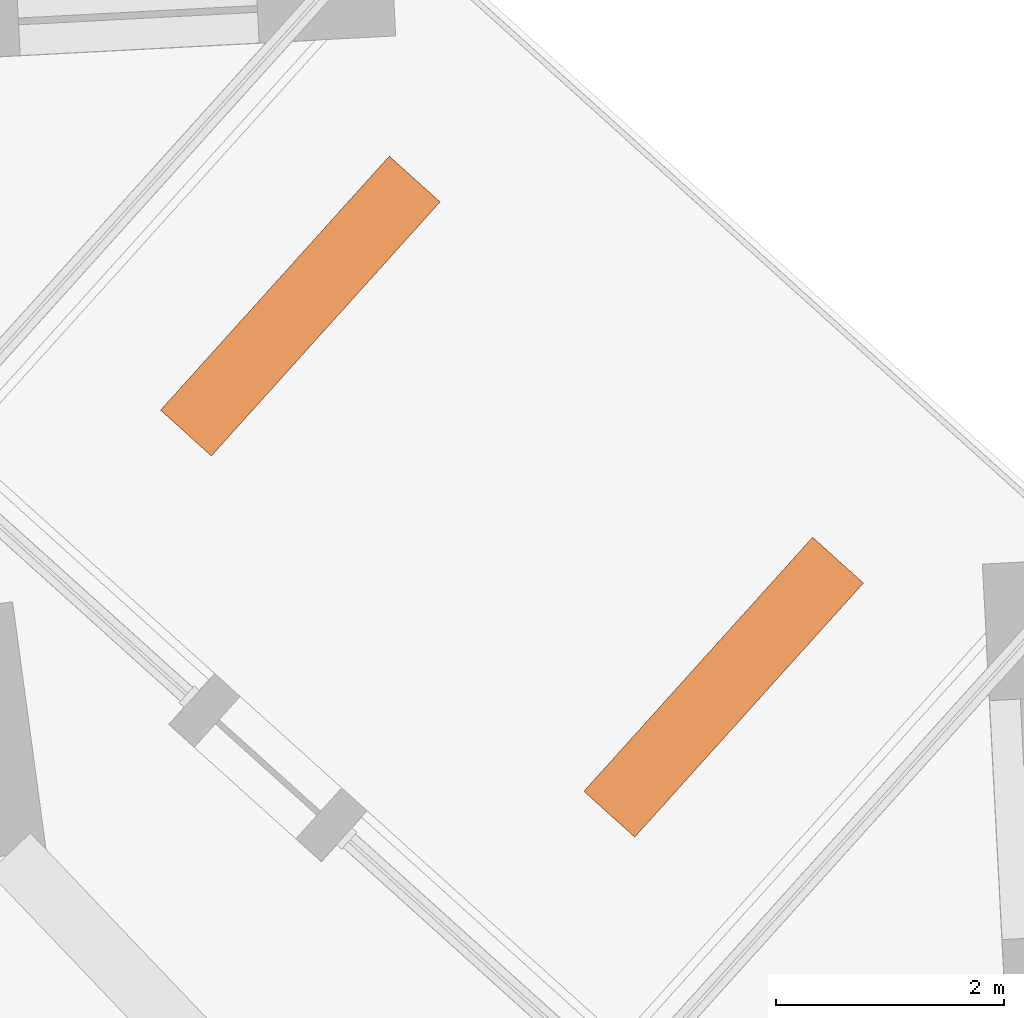
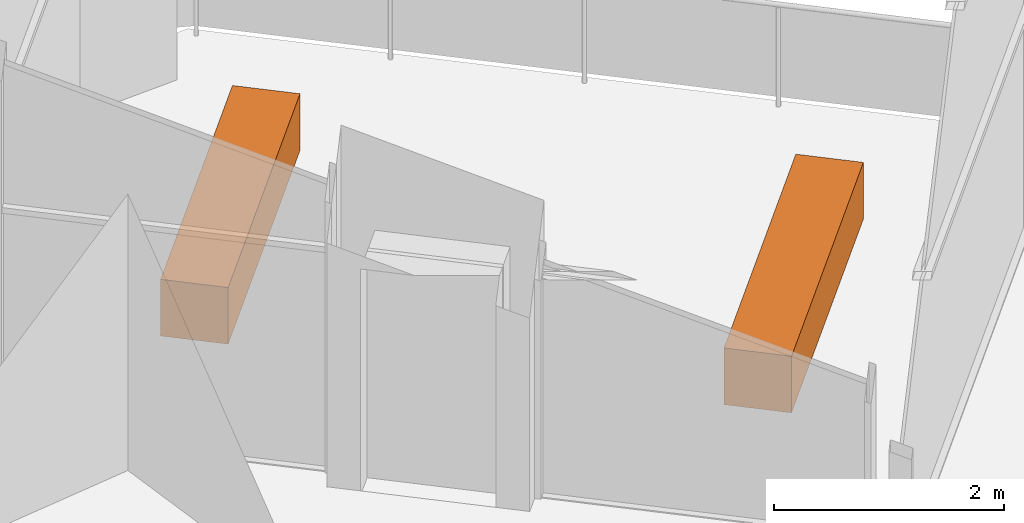
# One storey, part 10 of 10: 2 proxies.
"""IFC4 building model written with IfcOpenShell, lengths in metres."""

from ifc_helpers import new_model, si_unit, direction, frame, origin, origin_2d, place, context, subcontext, project, spatial, rectangle, extrude, element, save


model = new_model("IFC4")

# Units and contexts
model_context = context("Model", 3, precision=1e-05, world=origin(), true_north=direction((0.0, 1.0)))
body_context = subcontext(model_context, "Body", "Model", "MODEL_VIEW")
ifc_project = project(units=[si_unit("LENGTHUNIT", "METRE"), si_unit("AREAUNIT", "SQUARE_METRE"), si_unit("VOLUMEUNIT", "CUBIC_METRE"), si_unit("PLANEANGLEUNIT", "RADIAN"), si_unit("MASSUNIT", "GRAM", prefix="KILO")], contexts=[model_context])

# Site, building, storey
site_placement = place(None, origin())
site = spatial("IfcSite", under=ifc_project, at=site_placement, CompositionType="ELEMENT")
building_placement = place(site_placement, origin())
building = spatial("IfcBuilding", under=site, at=building_placement, Name="Dilmun Exchange Tower", CompositionType="ELEMENT")
storey_placement = place(building_placement, frame((0.0, 0.0, 32.10009765625)))
storey = spatial("IfcBuildingStorey", under=building, at=storey_placement, Name="L07", CompositionType="ELEMENT", Elevation=32.10009765625)

# Proxies
for number, where, z_axis, x_axis, name in (
    (1, (25.806640625, 24.925048828125, -0.000244140625), (0.0, 0.0, 1.0), (0.669130606359, 0.743144825477, 0.0), "PLANTER Desert shrub L07.1"),
    (2, (22.0908203125, 28.2705078125, -0.000244140625), (0.0, 0.0, 1.0), (0.669130606359, 0.743144825477, 0.0), "PLANTER Desert shrub L07.2"),
):
    element("IfcBuildingElementProxy", number, at=place(storey_placement, frame(where, z_axis=z_axis, x_axis=x_axis)), inside=storey, Name=name, ObjectType="PLANTER", PredefinedType="USERDEFINED", context=body_context, shape_type="SweptSolid", body=[
        extrude(rectangle(XDim=3.0, YDim=0.60009765625, at=origin_2d()), origin(), (0.0, 0.0, 1.0), 0.60009765625),
    ])

save(model, "model.ifc")
